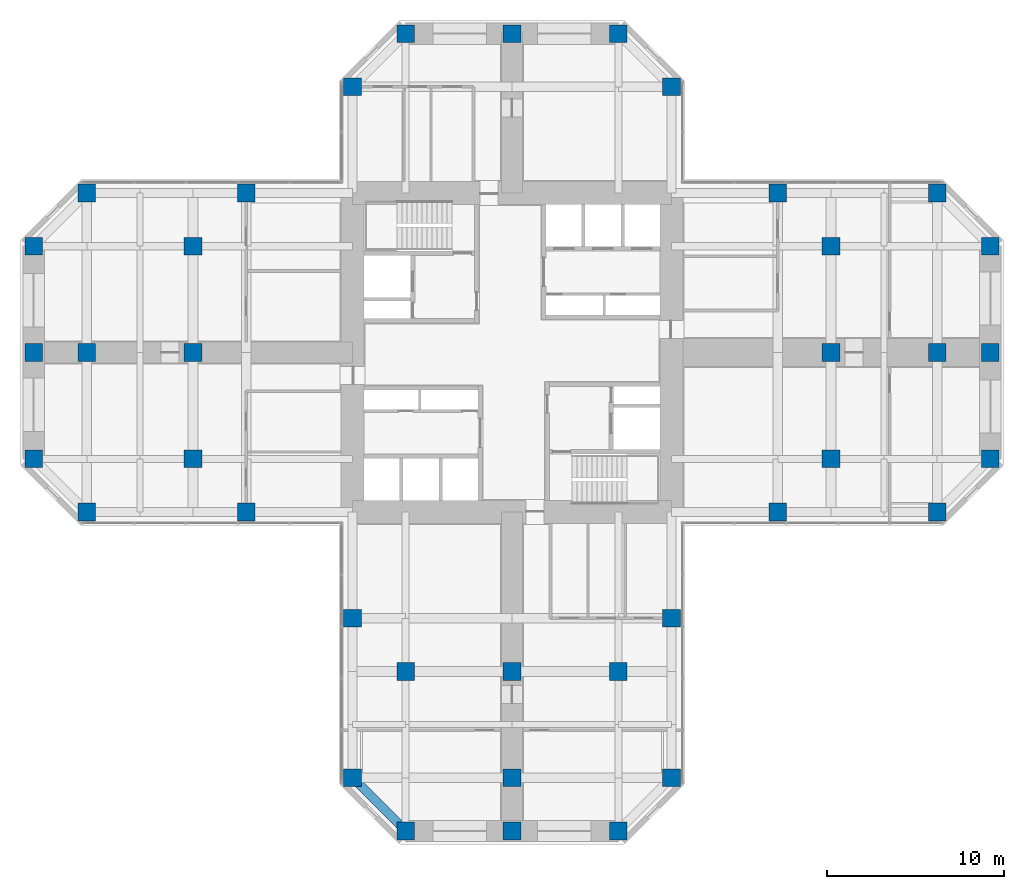
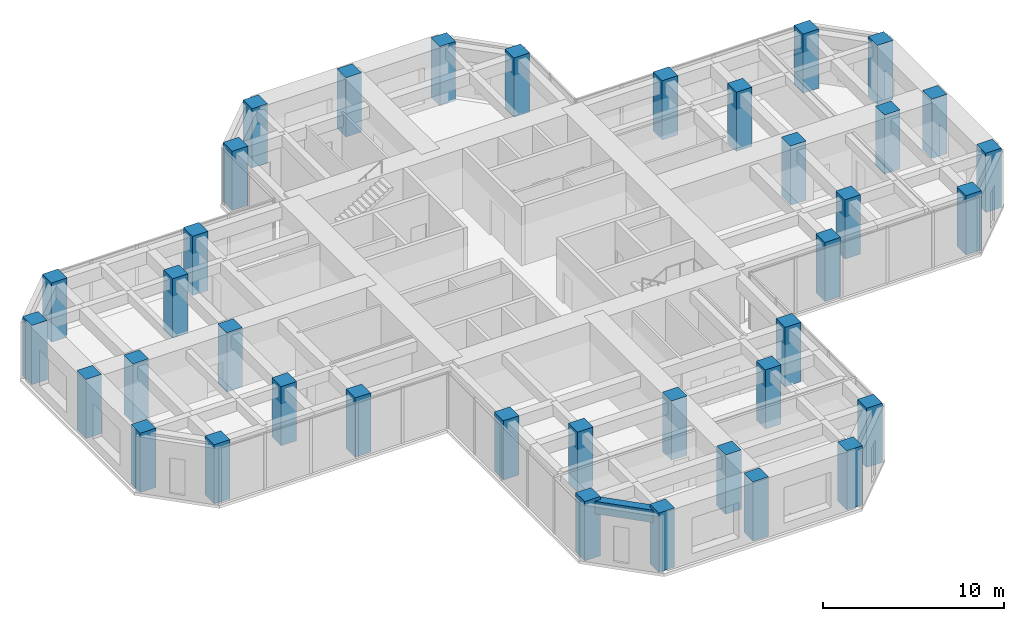
# One storey, part 1 of 12: 38 columns, 1 beam.
"""IFC4 building model written with IfcOpenShell, lengths in metres."""

from ifc_helpers import new_model, si_unit, direction, frame, origin, origin_2d, place, context, subcontext, project, spatial, rectangle, extrude, material, material_profile, profile_set, type_object, element, save


model = new_model("IFC4")

# Units and contexts
model_context = context("Model", 3, precision=1e-05, world=origin(), true_north=direction((0.0, 1.0)))
body_context = subcontext(model_context, "Body", "Model", "MODEL_VIEW")
ifc_project = project(units=[si_unit("LENGTHUNIT", "METRE"), si_unit("AREAUNIT", "SQUARE_METRE"), si_unit("VOLUMEUNIT", "CUBIC_METRE"), si_unit("PLANEANGLEUNIT", "RADIAN"), si_unit("MASSUNIT", "GRAM", prefix="KILO")], contexts=[model_context])

# Site, building, storey
site_placement = place(None, origin())
site = spatial("IfcSite", under=ifc_project, at=site_placement, CompositionType="ELEMENT")
building_placement = place(site_placement, origin())
building = spatial("IfcBuilding", under=site, at=building_placement, Name="Torre Cruceta", CompositionType="ELEMENT")
storey_placement = place(building_placement, frame((0.0, 0.0, 144.5)))
storey = spatial("IfcBuildingStorey", under=building, at=storey_placement, Name="L35", CompositionType="ELEMENT", Elevation=144.5)

# Columns
ifc_material_1 = material(Name="Concrete G60 (fck 60 MPa)", Category="concrete")
ifc_material_profile_1 = material_profile(ifc_material_1, rectangle(XDim=1.0, YDim=1.0, at=origin_2d()), Name="RC 1000X1000")
ifc_profile_set_1 = profile_set([ifc_material_profile_1], Name="Concrete G60 (fck 60 MPa)")
column_type = type_object("IfcColumnType", Name="COLUMN RC 1000X1000", PredefinedType="COLUMN", material=ifc_profile_set_1)
for number, where, z_axis, x_axis, name in (
    (1, (9.0, 15.0, 0.0), (0.0, 0.0, 1.0), (1.0, 0.0, 0.0), "C5 L35 N chamfer"),
    (2, (-9.0, 15.0, 0.0), (0.0, 0.0, 1.0), (1.0, 0.0, 0.0), "C5 L35 N chamfer"),
    (3, (6.0, 18.0, 0.0), (0.0, 0.0, 1.0), (1.0, 0.0, 0.0), "C5 L35 N tip"),
    (4, (0.0, 18.0, 0.0), (0.0, 0.0, 1.0), (1.0, 0.0, 0.0), "C5 L35 N tip"),
    (5, (-6.0, 18.0, 0.0), (0.0, 0.0, 1.0), (1.0, 0.0, 0.0), "C5 L35 N tip"),
    (6, (15.0, -9.0, 0.0), (0.0, 0.0, 1.0), (1.0, 0.0, 0.0), "C5 L35 E side"),
    (7, (24.0, -9.0, 0.0), (0.0, 0.0, 1.0), (1.0, 0.0, 0.0), "C5 L35 E chamfer"),
    (8, (15.0, 9.0, 0.0), (0.0, 0.0, 1.0), (1.0, 0.0, 0.0), "C5 L35 E side"),
    (9, (24.0, 9.0, 0.0), (0.0, 0.0, 1.0), (1.0, 0.0, 0.0), "C5 L35 E chamfer"),
    (10, (27.0, -6.0, 0.0), (0.0, 0.0, 1.0), (1.0, 0.0, 0.0), "C5 L35 E tip"),
    (11, (27.0, 0.0, 0.0), (0.0, 0.0, 1.0), (1.0, 0.0, 0.0), "C5 L35 E tip"),
    (12, (27.0, 6.0, 0.0), (0.0, 0.0, 1.0), (1.0, 0.0, 0.0), "C5 L35 E tip"),
    (13, (-9.0, -15.0, 0.0), (0.0, 0.0, 1.0), (1.0, 0.0, 0.0), "C5 L35 S side"),
    (14, (-9.0, -24.0, 0.0), (0.0, 0.0, 1.0), (1.0, 0.0, 0.0), "C5 L35 S chamfer"),
    (15, (9.0, -15.0, 0.0), (0.0, 0.0, 1.0), (1.0, 0.0, 0.0), "C5 L35 S side"),
    (16, (9.0, -24.0, 0.0), (0.0, 0.0, 1.0), (1.0, 0.0, 0.0), "C5 L35 S chamfer"),
    (17, (-6.0, -27.0, 0.0), (0.0, 0.0, 1.0), (1.0, 0.0, 0.0), "C5 L35 S tip"),
    (18, (0.0, -27.0, 0.0), (0.0, 0.0, 1.0), (1.0, 0.0, 0.0), "C5 L35 S tip"),
    (19, (6.0, -27.0, 0.0), (0.0, 0.0, 1.0), (1.0, 0.0, 0.0), "C5 L35 S tip"),
    (20, (-15.0, 9.0, 0.0), (0.0, 0.0, 1.0), (1.0, 0.0, 0.0), "C5 L35 W side"),
    (21, (-24.0, 9.0, 0.0), (0.0, 0.0, 1.0), (1.0, 0.0, 0.0), "C5 L35 W chamfer"),
    (22, (-15.0, -9.0, 0.0), (0.0, 0.0, 1.0), (1.0, 0.0, 0.0), "C5 L35 W side"),
    (23, (-24.0, -9.0, 0.0), (0.0, 0.0, 1.0), (1.0, 0.0, 0.0), "C5 L35 W chamfer"),
    (24, (-27.0, 6.0, 0.0), (0.0, 0.0, 1.0), (1.0, 0.0, 0.0), "C5 L35 W tip"),
    (25, (-27.0, 0.0, 0.0), (0.0, 0.0, 1.0), (1.0, 0.0, 0.0), "C5 L35 W tip"),
    (26, (-27.0, -6.0, 0.0), (0.0, 0.0, 1.0), (1.0, 0.0, 0.0), "C5 L35 W tip"),
    (27, (18.0, -6.0, 0.0), (0.0, 0.0, 1.0), (1.0, 0.0, 0.0), "C5 L35 E interior"),
    (28, (18.0, 0.0, 0.0), (0.0, 0.0, 1.0), (1.0, 0.0, 0.0), "C5 L35 E interior"),
    (29, (18.0, 6.0, 0.0), (0.0, 0.0, 1.0), (1.0, 0.0, 0.0), "C5 L35 E interior"),
    (30, (24.0, 0.0, 0.0), (0.0, 0.0, 1.0), (1.0, 0.0, 0.0), "C5 L35 E interior"),
    (31, (-6.0, -18.0, 0.0), (0.0, 0.0, 1.0), (1.0, 0.0, 0.0), "C5 L35 S interior"),
    (32, (0.0, -18.0, 0.0), (0.0, 0.0, 1.0), (1.0, 0.0, 0.0), "C5 L35 S interior"),
    (33, (6.0, -18.0, 0.0), (0.0, 0.0, 1.0), (1.0, 0.0, 0.0), "C5 L35 S interior"),
    (34, (0.0, -24.0, 0.0), (0.0, 0.0, 1.0), (1.0, 0.0, 0.0), "C5 L35 S interior"),
    (35, (-18.0, 6.0, 0.0), (0.0, 0.0, 1.0), (1.0, 0.0, 0.0), "C5 L35 W interior"),
    (36, (-18.0, 0.0, 0.0), (0.0, 0.0, 1.0), (1.0, 0.0, 0.0), "C5 L35 W interior"),
    (37, (-18.0, -6.0, 0.0), (0.0, 0.0, 1.0), (1.0, 0.0, 0.0), "C5 L35 W interior"),
    (38, (-24.0, 0.0, 0.0), (0.0, 0.0, 1.0), (1.0, 0.0, 0.0), "C5 L35 W interior"),
):
    element("IfcColumn", number, at=place(storey_placement, frame(where, z_axis=z_axis, x_axis=x_axis)), inside=storey, type_object=column_type, Name=name, PredefinedType="COLUMN", context=body_context, shape_type="SweptSolid", body=[
        extrude(rectangle(XDim=1.0, YDim=1.0, at=origin_2d()), origin(), (0.0, 0.0, 1.0), 4.0),
    ])

# Beam
ifc_material_2 = material(Name="Concrete G60 (fck 60 MPa)", Category="concrete")
ifc_material_profile_2 = material_profile(ifc_material_2, rectangle(XDim=0.5, YDim=0.85009765625, at=origin_2d()), Name="RC 500X850")
ifc_profile_set_2 = profile_set([ifc_material_profile_2], Name="Concrete G60 (fck 60 MPa)")
beam_type = type_object("IfcBeamType", Name="SPANDREL BEAM RC 500X850", PredefinedType="SPANDREL", material=ifc_profile_set_2)
beam_placement = place(storey_placement, frame((-9.0, -24.0, 3.375), z_axis=(0.707106781187, -0.707106781187, 0.0), x_axis=(0.707106781187, 0.707106781187, 0.0)))
element("IfcBeam", 39, at=beam_placement, inside=storey, type_object=beam_type, Name="SB5 L35 S side- 5", PredefinedType="SPANDREL", context=body_context, shape_type="SweptSolid", body=[
    extrude(rectangle(XDim=0.5, YDim=0.85009765625, at=origin_2d()), origin(), (0.0, 0.0, 1.0), 4.24267578125),
])

save(model, "model.ifc")
